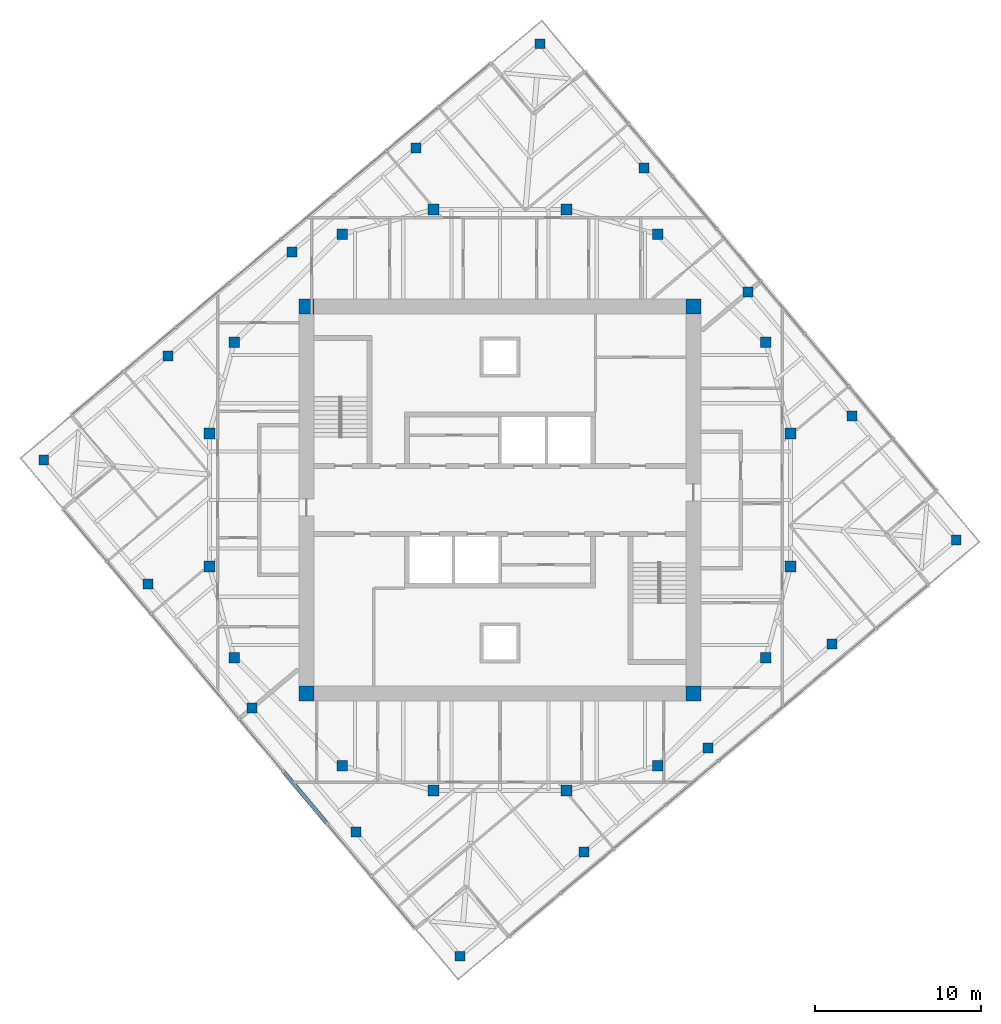
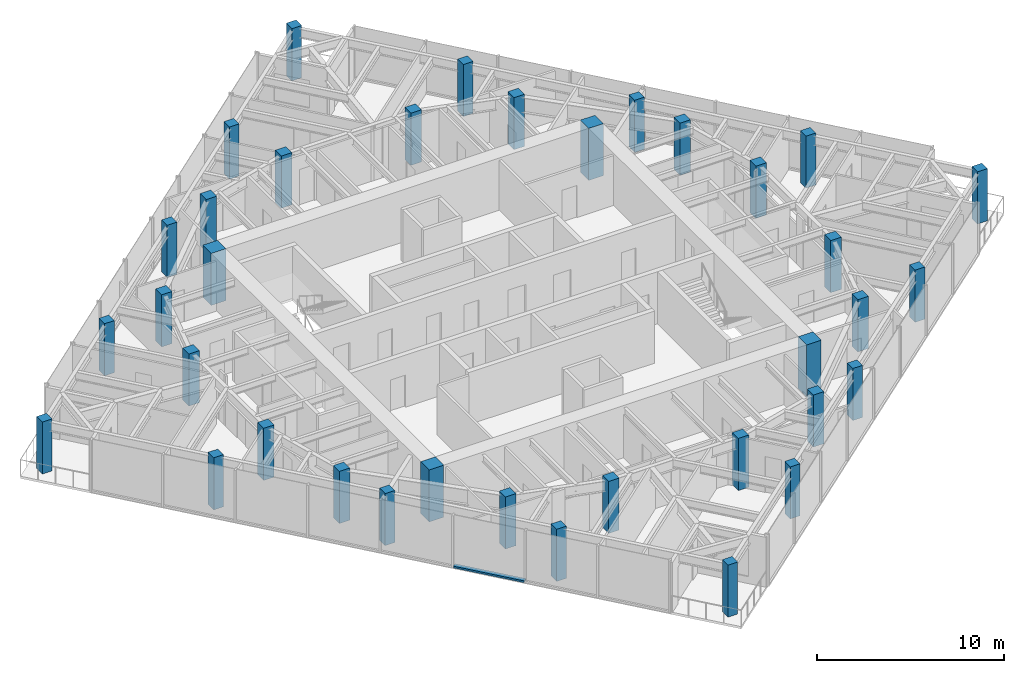
# One storey, part 1 of 12: 36 columns, 1 member, 1 element without a shape of its own.
"""IFC4 building model written with IfcOpenShell, lengths in metres."""

from ifc_helpers import new_model, si_unit, direction, frame, origin, origin_2d, place, context, subcontext, project, spatial, rectangle, extrude, material, material_profile, profile_set, type_object, element, aggregate, save


model = new_model("IFC4")

# Units and contexts
model_context = context("Model", 3, precision=1e-05, world=origin(), true_north=direction((0.0, 1.0)))
body_context = subcontext(model_context, "Body", "Model", "MODEL_VIEW")
ifc_project = project(units=[si_unit("LENGTHUNIT", "METRE"), si_unit("AREAUNIT", "SQUARE_METRE"), si_unit("VOLUMEUNIT", "CUBIC_METRE"), si_unit("PLANEANGLEUNIT", "RADIAN"), si_unit("MASSUNIT", "GRAM", prefix="KILO")], contexts=[model_context])

# Site, building, storey
site_placement = place(None, origin())
site = spatial("IfcSite", under=ifc_project, at=site_placement, CompositionType="ELEMENT")
building_placement = place(site_placement, origin())
building = spatial("IfcBuilding", under=site, at=building_placement, Name="Torsade Residences", CompositionType="ELEMENT")
storey_placement = place(building_placement, frame((0.0, 0.0, 279.39990234375)))
storey = spatial("IfcBuildingStorey", under=building, at=storey_placement, Name="L77", CompositionType="ELEMENT", Elevation=279.39990234375)

# Columns
ifc_material_1 = material(Name="Concrete 80 MPa", Category="concrete")
ifc_material_profile_1 = material_profile(ifc_material_1, rectangle(XDim=0.89990234375, YDim=0.89990234375, at=origin_2d()), Name="RC 900x900")
ifc_profile_set_1 = profile_set([ifc_material_profile_1], Name="Concrete 80 MPa")
column_type_1 = type_object("IfcColumnType", Name="CORE CORNER COLUMN RC 900x900", PredefinedType="COLUMN", material=ifc_profile_set_1)
for number, where, z_axis, x_axis, name in (
    (1, (28.35009765625, 18.35009765625, 0.0), (0.0, 0.0, 1.0), (1.0, 0.0, 0.0), "Core corner column CC1 L77"),
    (2, (51.64990234375, 18.35009765625, 0.0), (0.0, 0.0, 1.0), (1.0, 0.0, 0.0), "Core corner column CC2 L77"),
    (3, (51.64990234375, 41.64990234375, 0.0), (0.0, 0.0, 1.0), (1.0, 0.0, 0.0), "Core corner column CC3 L77"),
    (4, (28.35009765625, 41.64990234375, 0.0), (0.0, 0.0, 1.0), (1.0, 0.0, 0.0), "Core corner column CC4 L77"),
):
    element("IfcColumn", number, at=place(storey_placement, frame(where, z_axis=z_axis, x_axis=x_axis)), inside=storey, type_object=column_type_1, Name=name, PredefinedType="COLUMN", context=body_context, shape_type="SweptSolid", body=[
        extrude(rectangle(XDim=0.89990234375, YDim=0.89990234375, at=origin_2d()), origin(), (0.0, 0.0, 1.0), 3.400146484375),
    ])
ifc_material_2 = material(Name="Concrete 80 MPa", Category="concrete")
ifc_material_profile_2 = material_profile(ifc_material_2, rectangle(XDim=0.64990234375, YDim=0.64990234375, at=origin_2d()), Name="RC 650x650")
ifc_profile_set_2 = profile_set([ifc_material_profile_2], Name="Concrete 80 MPa")
column_type_2 = type_object("IfcColumnType", Name="INNER RING COLUMN RC 650x650", PredefinedType="COLUMN", material=ifc_profile_set_2)
for number, where, z_axis, x_axis, name in (
    (5, (57.5, 26.0, 0.0), (0.0, 0.0, 1.0), (1.0, 0.0, 0.0), "Inner ring column IR01 L77"),
    (6, (57.5, 34.0, 0.0), (0.0, 0.0, 1.0), (1.0, 0.0, 0.0), "Inner ring column IR02 L77"),
    (7, (56.0, 39.5, 0.0), (0.0, 0.0, 1.0), (1.0, 0.0, 0.0), "Inner ring column IR03 L77"),
    (8, (49.5, 46.0, 0.0), (0.0, 0.0, 1.0), (1.0, 0.0, 0.0), "Inner ring column IR04 L77"),
    (9, (44.0, 47.5, 0.0), (0.0, 0.0, 1.0), (1.0, 0.0, 0.0), "Inner ring column IR05 L77"),
    (10, (36.0, 47.5, 0.0), (0.0, 0.0, 1.0), (1.0, 0.0, 0.0), "Inner ring column IR06 L77"),
    (11, (30.5, 46.0, 0.0), (0.0, 0.0, 1.0), (1.0, 0.0, 0.0), "Inner ring column IR07 L77"),
    (12, (24.0, 39.5, 0.0), (0.0, 0.0, 1.0), (1.0, 0.0, 0.0), "Inner ring column IR08 L77"),
    (13, (22.5, 34.0, 0.0), (0.0, 0.0, 1.0), (1.0, 0.0, 0.0), "Inner ring column IR09 L77"),
    (14, (22.5, 26.0, 0.0), (0.0, 0.0, 1.0), (1.0, 0.0, 0.0), "Inner ring column IR10 L77"),
    (15, (24.0, 20.5, 0.0), (0.0, 0.0, 1.0), (1.0, 0.0, 0.0), "Inner ring column IR11 L77"),
    (16, (30.5, 14.0, 0.0), (0.0, 0.0, 1.0), (1.0, 0.0, 0.0), "Inner ring column IR12 L77"),
    (17, (36.0, 12.5, 0.0), (0.0, 0.0, 1.0), (1.0, 0.0, 0.0), "Inner ring column IR13 L77"),
    (18, (44.0, 12.5, 0.0), (0.0, 0.0, 1.0), (1.0, 0.0, 0.0), "Inner ring column IR14 L77"),
    (19, (49.5, 14.0, 0.0), (0.0, 0.0, 1.0), (1.0, 0.0, 0.0), "Inner ring column IR15 L77"),
    (20, (56.0, 20.5, 0.0), (0.0, 0.0, 1.0), (1.0, 0.0, 0.0), "Inner ring column IR16 L77"),
):
    element("IfcColumn", number, at=place(storey_placement, frame(where, z_axis=z_axis, x_axis=x_axis)), inside=storey, type_object=column_type_2, Name=name, PredefinedType="COLUMN", context=body_context, shape_type="SweptSolid", body=[
        extrude(rectangle(XDim=0.64990234375, YDim=0.64990234375, at=origin_2d()), origin(), (0.0, 0.0, 1.0), 3.400146484375),
    ])
ifc_material_3 = material(Name="Concrete 80 MPa", Category="concrete")
ifc_material_profile_3 = material_profile(ifc_material_3, rectangle(XDim=0.60009765625, YDim=0.60009765625, at=origin_2d()), Name="RC 600x600")
ifc_profile_set_3 = profile_set([ifc_material_profile_3], Name="Concrete 80 MPa")
column_type_3 = type_object("IfcColumnType", Name="TOWER COLUMN RC 600x600", PredefinedType="COLUMN", material=ifc_profile_set_3)
for number, where, z_axis, x_axis, name in (
    (21, (37.596435546875, 2.52783203125, 0.0), (0.0, 0.0, 1.0), (1.0, 0.0, 0.0), "Column TC9-01 L77"),
    (22, (45.0654296875, 8.794921875, 0.0), (0.0, 0.0, 1.0), (1.0, 0.0, 0.0), "Column TC9-02 L77"),
    (23, (52.534423828125, 15.06201171875, 0.0), (0.0, 0.0, 1.0), (1.0, 0.0, 0.0), "Column TC9-03 L77"),
    (24, (60.003173828125, 21.329345703125, 0.0), (0.0, 0.0, 1.0), (1.0, 0.0, 0.0), "Column TC9-04 L77"),
    (25, (67.47216796875, 27.596435546875, 0.0), (0.0, 0.0, 1.0), (1.0, 0.0, 0.0), "Column TC9-05 L77"),
    (26, (61.205078125, 35.0654296875, 0.0), (0.0, 0.0, 1.0), (1.0, 0.0, 0.0), "Column TC9-06 L77"),
    (27, (54.93798828125, 42.534423828125, 0.0), (0.0, 0.0, 1.0), (1.0, 0.0, 0.0), "Column TC9-07 L77"),
    (28, (48.670654296875, 50.003173828125, 0.0), (0.0, 0.0, 1.0), (1.0, 0.0, 0.0), "Column TC9-08 L77"),
    (29, (42.403564453125, 57.47216796875, 0.0), (0.0, 0.0, 1.0), (1.0, 0.0, 0.0), "Column TC9-09 L77"),
    (30, (34.9345703125, 51.205078125, 0.0), (0.0, 0.0, 1.0), (1.0, 0.0, 0.0), "Column TC9-10 L77"),
    (31, (27.465576171875, 44.93798828125, 0.0), (0.0, 0.0, 1.0), (1.0, 0.0, 0.0), "Column TC9-11 L77"),
    (32, (19.996826171875, 38.670654296875, 0.0), (0.0, 0.0, 1.0), (1.0, 0.0, 0.0), "Column TC9-12 L77"),
    (33, (12.52783203125, 32.403564453125, 0.0), (0.0, 0.0, 1.0), (1.0, 0.0, 0.0), "Column TC9-13 L77"),
    (34, (18.794921875, 24.9345703125, 0.0), (0.0, 0.0, 1.0), (1.0, 0.0, 0.0), "Column TC9-14 L77"),
    (35, (25.06201171875, 17.465576171875, 0.0), (0.0, 0.0, 1.0), (1.0, 0.0, 0.0), "Column TC9-15 L77"),
    (36, (31.329345703125, 9.996826171875, 0.0), (0.0, 0.0, 1.0), (1.0, 0.0, 0.0), "Column TC9-16 L77"),
):
    element("IfcColumn", number, at=place(storey_placement, frame(where, z_axis=z_axis, x_axis=x_axis)), inside=storey, type_object=column_type_3, Name=name, PredefinedType="COLUMN", context=body_context, shape_type="SweptSolid", body=[
        extrude(rectangle(XDim=0.60009765625, YDim=0.60009765625, at=origin_2d()), origin(), (0.0, 0.0, 1.0), 3.400146484375),
    ])

# Curtain wall, member
ifc_material_4 = material(Name="Aluminium and glass", Category="aluminium")
curtain_wall_type = type_object("IfcCurtainWallType", Name="FRITTED GLASS CURTAIN WALL HIGH ZONE", PredefinedType="NOTDEFINED", material=ifc_material_4)
curtain_wall_placement = place(storey_placement, origin())
curtain_wall = element("IfcCurtainWall", 37, at=curtain_wall_placement, inside=storey, type_object=curtain_wall_type, Name="Curtain wall L77 face 10", PredefinedType="NOTDEFINED")
ifc_material_5 = material(Name="Aluminium transom", Category="aluminium")
ifc_material_profile_4 = material_profile(ifc_material_5, rectangle(XDim=0.25, YDim=0.1201171875, at=origin_2d()), Name="HIGH ZONE CURTAIN WALL TRANSOM 250x120")
ifc_profile_set_4 = profile_set([ifc_material_profile_4], Name="Aluminium transom")
member_type = type_object("IfcMemberType", Name="HIGH ZONE CURTAIN WALL TRANSOM 250x120", PredefinedType="USERDEFINED", material=ifc_profile_set_4)
member_placement = place(storey_placement, frame((26.979736328125, 13.62451171875, 0.06005859375), z_axis=(0.642787992616, -0.766044121803, 0.0), x_axis=(0.766044121803, 0.642787992616, 0.0)))
member = element("IfcMember", 38, at=member_placement, type_object=member_type, Name="Transom 6.1", ObjectType="TRANSOM", PredefinedType="USERDEFINED", context=body_context, shape_type="SweptSolid", body=[
    extrude(rectangle(XDim=0.25, YDim=0.1201171875, at=origin_2d()), origin(), (0.0, 0.0, 1.0), 4.02490234375),
])
aggregate(curtain_wall, [member])

save(model, "model.ifc")
